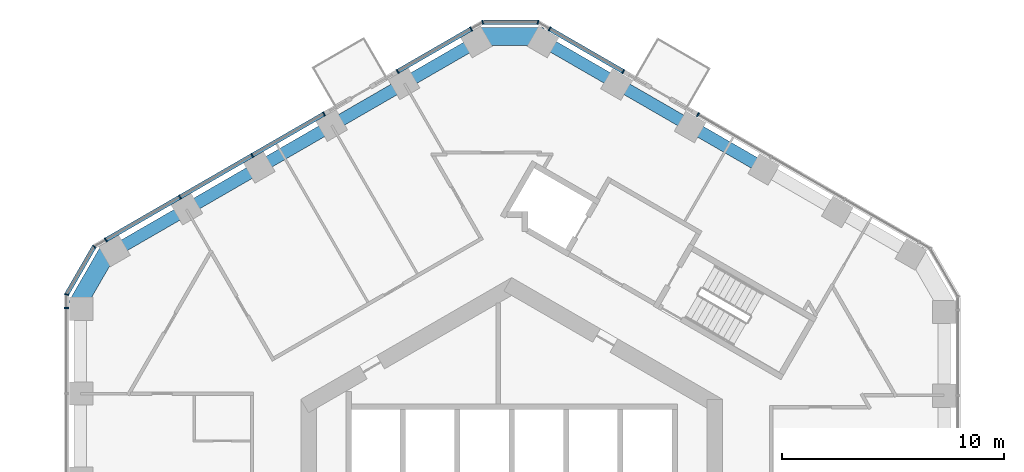
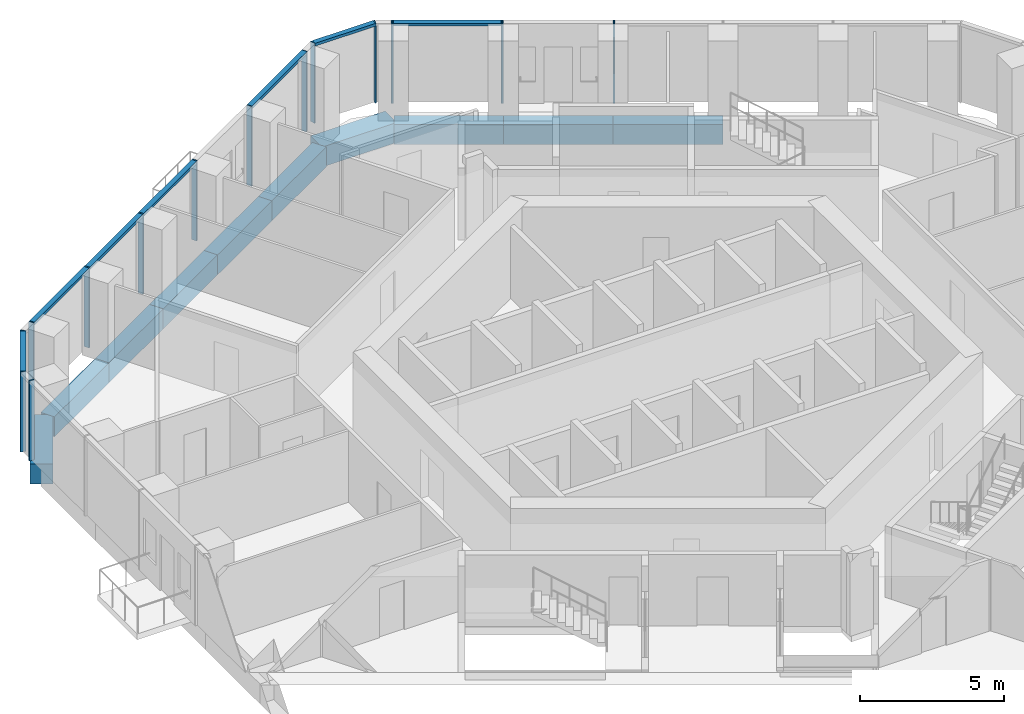
# One storey, part 6 of 20: 19 members, 10 beams, 7 elements without a shape of their own.
"""IFC4 building model written with IfcOpenShell, lengths in metres."""

from ifc_helpers import new_model, si_unit, direction, frame, origin, origin_2d, place, context, subcontext, project, spatial, rectangle, extrude, material, layer, layer_set, material_profile, profile_set, type_object, element, aggregate, save


model = new_model("IFC4")

# Units and contexts
model_context = context("Model", 3, precision=1e-05, world=origin(), true_north=direction((0.0, 1.0)))
body_context = subcontext(model_context, "Body", "Model", "MODEL_VIEW")
ifc_project = project(units=[si_unit("LENGTHUNIT", "METRE"), si_unit("AREAUNIT", "SQUARE_METRE"), si_unit("VOLUMEUNIT", "CUBIC_METRE"), si_unit("PLANEANGLEUNIT", "RADIAN"), si_unit("MASSUNIT", "GRAM", prefix="KILO")], contexts=[model_context])

# Site, building, storey
site_placement = place(None, origin())
site = spatial("IfcSite", under=ifc_project, at=site_placement, CompositionType="ELEMENT")
building_placement = place(site_placement, origin())
building = spatial("IfcBuilding", under=site, at=building_placement, Name="Ayvan Gate Tower", CompositionType="ELEMENT")
storey_placement = place(building_placement, frame((0.0, 0.0, 86.5)))
storey = spatial("IfcBuildingStorey", under=building, at=storey_placement, Name="L22", CompositionType="ELEMENT", Elevation=86.5)

# Beams
ifc_material_1 = material(Name="Concrete C40/50", Category="concrete")
ifc_material_profile_1 = material_profile(ifc_material_1, rectangle(XDim=0.800048828125, YDim=0.85009765625, at=origin_2d()), Name="RC 800x850")
ifc_profile_set_1 = profile_set([ifc_material_profile_1], Name="Concrete C40/50")
beam_type_1 = type_object("IfcBeamType", Name="Corner spandrel beam RC 800x850 C40/50", PredefinedType="BEAM", material=ifc_profile_set_1)
for number, where, z_axis, x_axis, name in (
    (1, (1.4541015625, 21.82763671875, -0.77490234375), (-1.0, 0.0, 0.0), (0.0, -1.0, 0.0), "SB-L22-12"),
    (2, (-18.13037109375, 12.25244140625, -0.77490234375), (-0.499990139034, -0.866031096941, 0.0), (0.866031096941, -0.499990139034, 0.0), "SB-L22-18"),
):
    element("IfcBeam", number, at=place(storey_placement, frame(where, z_axis=z_axis, x_axis=x_axis)), inside=storey, type_object=beam_type_1, Name=name, PredefinedType="BEAM", context=body_context, shape_type="SweptSolid", body=[
        extrude(rectangle(XDim=0.800048828125, YDim=0.85009765625, at=origin_2d()), origin(), (0.0, 0.0, 1.0), 3.0),
    ])
ifc_material_profile_2 = material_profile(ifc_material_1, rectangle(XDim=0.550048828125, YDim=0.85009765625, at=origin_2d()), Name="RC 550x850")
ifc_profile_set_2 = profile_set([ifc_material_profile_2], Name="Concrete C40/50")
beam_type_2 = type_object("IfcBeamType", Name="Spandrel beam RC 550x850 C40/50", PredefinedType="BEAM", material=ifc_profile_set_2)
beam_1_placement = place(storey_placement, frame((11.373046875, 15.880859375, -0.77490234375), z_axis=(-0.866026918282, 0.499997376803, 0.0), x_axis=(-0.499997376803, -0.866026918282, 0.0)))
element("IfcBeam", 3, at=beam_1_placement, inside=storey, type_object=beam_type_2, Name="SB-L22-9", PredefinedType="BEAM", context=body_context, shape_type="SweptSolid", body=[
    extrude(rectangle(XDim=0.550048828125, YDim=0.85009765625, at=origin_2d()), origin(), (0.0, 0.0, 1.0), 3.81787109375),
])
beam_2_placement = place(storey_placement, frame((8.066650390625, 17.789794921875, -0.77490234375), z_axis=(-0.866010930507, 0.500025067614, 0.0), x_axis=(-0.500025067614, -0.866010930507, 0.0)))
element("IfcBeam", 4, at=beam_2_placement, inside=storey, type_object=beam_type_2, Name="SB-L22-10", PredefinedType="BEAM", context=body_context, shape_type="SweptSolid", body=[
    extrude(rectangle(XDim=0.550048828125, YDim=0.85009765625, at=origin_2d()), origin(), (0.0, 0.0, 1.0), 3.817626953125),
])
beam_3_placement = place(storey_placement, frame((4.760498046875, 19.69873046875, -0.77490234375), z_axis=(-0.866054607372, 0.49994941449, 0.0), x_axis=(-0.49994941449, -0.866054607372, 0.0)))
element("IfcBeam", 5, at=beam_3_placement, inside=storey, type_object=beam_type_2, Name="SB-L22-11", PredefinedType="BEAM", context=body_context, shape_type="SweptSolid", body=[
    extrude(rectangle(XDim=0.550048828125, YDim=0.85009765625, at=origin_2d()), origin(), (0.0, 0.0, 1.0), 3.81787109375),
])
for number, where, z_axis, x_axis, name in (
    (6, (-1.5458984375, 21.607421875, -0.77490234375), (-0.866048135668, -0.499960625155, 0.0), (0.499960625155, -0.866048135668, 0.0), "SB-L22-13"),
    (7, (-4.82470703125, 19.714599609375, -0.77490234375), (-0.866004090458, -0.500036913948, 0.0), (0.500036913948, -0.866004090458, 0.0), "SB-L22-14"),
):
    element("IfcBeam", number, at=place(storey_placement, frame(where, z_axis=z_axis, x_axis=x_axis)), inside=storey, type_object=beam_type_2, Name=name, PredefinedType="BEAM", context=body_context, shape_type="SweptSolid", body=[
        extrude(rectangle(XDim=0.550048828125, YDim=0.85009765625, at=origin_2d()), origin(), (0.0, 0.0, 1.0), 3.785888671875),
    ])
for number, where, z_axis, x_axis, name in (
    (8, (-8.103271484375, 17.821533203125, -0.77490234375), (-0.86602021339, -0.50000898992, 0.0), (0.50000898992, -0.86602021339, 0.0), "SB-L22-15"),
    (9, (-11.382080078125, 15.928466796875, -0.77490234375), (-0.86602021339, -0.50000898992, 0.0), (0.50000898992, -0.86602021339, 0.0), "SB-L22-16"),
):
    element("IfcBeam", number, at=place(storey_placement, frame(where, z_axis=z_axis, x_axis=x_axis)), inside=storey, type_object=beam_type_2, Name=name, PredefinedType="BEAM", context=body_context, shape_type="SweptSolid", body=[
        extrude(rectangle(XDim=0.550048828125, YDim=0.85009765625, at=origin_2d()), origin(), (0.0, 0.0, 1.0), 3.7861328125),
    ])
beam_4_placement = place(storey_placement, frame((-14.660888671875, 14.035400390625, -0.77490234375), z_axis=(-0.866048135668, -0.499960625155, 0.0), x_axis=(0.499960625155, -0.866048135668, 0.0)))
element("IfcBeam", 10, at=beam_4_placement, inside=storey, type_object=beam_type_2, Name="SB-L22-17", PredefinedType="BEAM", context=body_context, shape_type="SweptSolid", body=[
    extrude(rectangle(XDim=0.550048828125, YDim=0.85009765625, at=origin_2d()), origin(), (0.0, 0.0, 1.0), 3.785888671875),
])

# Curtain wall, members
ifc_material_2 = material(Name="Bronze anodised aluminium", Category="aluminium")
ifc_layer_1 = layer(ifc_material_2, 0.199951171875)
ifc_layer_set_1 = layer_set([ifc_layer_1], Name="Bronze anodised aluminium")
curtain_wall_type_1 = type_object("IfcCurtainWallType", Name="Stick curtain wall CW-1", PredefinedType="NOTDEFINED", material=ifc_layer_set_1)
curtain_wall_1_placement = place(storey_placement, origin())
curtain_wall_1 = element("IfcCurtainWall", 11, at=curtain_wall_1_placement, inside=storey, type_object=curtain_wall_type_1, Name="Stick curtain wall CW-1 L22", PredefinedType="NOTDEFINED")
ifc_material_profile_3 = material_profile(ifc_material_2, rectangle(XDim=0.199951171875, YDim=0.06005859375, at=origin_2d()), Name="Stick curtain wall CW-1 mullion 200 x 60")
ifc_profile_set_3 = profile_set([ifc_material_profile_3], Name="Bronze anodised aluminium")
member_type_1 = type_object("IfcMemberType", Name="Stick curtain wall CW-1 mullion 200 x 60", PredefinedType="MULLION", material=ifc_profile_set_3)
member_1_placement = place(storey_placement, frame((-1.82666015625, 22.167236328125, 0.0), z_axis=(0.0, 0.0, 1.0), x_axis=(-0.5, 0.866025403784, 0.0)))
member_1 = element("IfcMember", 12, at=member_1_placement, type_object=member_type_1, Name="CW-1 mullion 1", PredefinedType="MULLION", context=body_context, shape_type="SweptSolid", body=[
    extrude(rectangle(XDim=0.199951171875, YDim=0.06005859375, at=origin_2d()), origin(), (0.0, 0.0, 1.0), 3.39990234375),
])
member_2_placement = place(storey_placement, frame((-5.137451171875, 20.255615234375, 0.0), z_axis=(0.0, 0.0, 1.0), x_axis=(-0.5, 0.866025403784, 0.0)))
member_2 = element("IfcMember", 13, at=member_2_placement, type_object=member_type_1, Name="CW-1 mullion 2", PredefinedType="MULLION", context=body_context, shape_type="SweptSolid", body=[
    extrude(rectangle(XDim=0.199951171875, YDim=0.06005859375, at=origin_2d()), origin(), (0.0, 0.0, 1.0), 3.39990234375),
])

curtain_wall_2_placement = place(storey_placement, origin())
curtain_wall_2 = element("IfcCurtainWall", 14, at=curtain_wall_2_placement, inside=storey, type_object=curtain_wall_type_1, Name="Stick curtain wall CW-1 L22", PredefinedType="NOTDEFINED")
member_3_placement = place(storey_placement, frame((-8.45068359375, 18.342529296875, 0.0), z_axis=(0.0, 0.0, 1.0), x_axis=(-0.5, 0.866025403784, 0.0)))
member_3 = element("IfcMember", 15, at=member_3_placement, type_object=member_type_1, Name="CW-1 mullion 1", PredefinedType="MULLION", context=body_context, shape_type="SweptSolid", body=[
    extrude(rectangle(XDim=0.199951171875, YDim=0.06005859375, at=origin_2d()), origin(), (0.0, 0.0, 1.0), 3.39990234375),
])
member_4_placement = place(storey_placement, frame((-11.686279296875, 16.474609375, 0.0), z_axis=(0.0, 0.0, 1.0), x_axis=(-0.5, 0.866025403784, 0.0)))
member_4 = element("IfcMember", 16, at=member_4_placement, type_object=member_type_1, Name="CW-1 mullion 2", PredefinedType="MULLION", context=body_context, shape_type="SweptSolid", body=[
    extrude(rectangle(XDim=0.199951171875, YDim=0.06005859375, at=origin_2d()), origin(), (0.0, 0.0, 1.0), 3.39990234375),
])
member_5_placement = place(storey_placement, frame((-14.94775390625, 14.591552734375, 0.0), z_axis=(0.0, 0.0, 1.0), x_axis=(-0.5, 0.866025403784, 0.0)))
member_5 = element("IfcMember", 17, at=member_5_placement, type_object=member_type_1, Name="CW-1 mullion 3", PredefinedType="MULLION", context=body_context, shape_type="SweptSolid", body=[
    extrude(rectangle(XDim=0.199951171875, YDim=0.06005859375, at=origin_2d()), origin(), (0.0, 0.0, 1.0), 3.39990234375),
])
member_6_placement = place(storey_placement, frame((-18.283935546875, 12.66552734375, 0.0), z_axis=(0.0, 0.0, 1.0), x_axis=(-0.5, 0.866025403784, 0.0)))
member_6 = element("IfcMember", 18, at=member_6_placement, type_object=member_type_1, Name="CW-1 mullion 4", PredefinedType="MULLION", context=body_context, shape_type="SweptSolid", body=[
    extrude(rectangle(XDim=0.199951171875, YDim=0.06005859375, at=origin_2d()), origin(), (0.0, 0.0, 1.0), 3.39990234375),
])

# Curtain wall, member
curtain_wall_3_placement = place(storey_placement, origin())
curtain_wall_3 = element("IfcCurtainWall", 19, at=curtain_wall_3_placement, inside=storey, type_object=curtain_wall_type_1, Name="Stick curtain wall CW-1 L22", PredefinedType="NOTDEFINED")
member_7_placement = place(storey_placement, frame((-20.05126953125, 9.6044921875, 0.0), z_axis=(0.0, 0.0, 1.0), x_axis=(-1.0, 0.0, 0.0)))
member_7 = element("IfcMember", 20, at=member_7_placement, type_object=member_type_1, Name="CW-1 mullion 1", PredefinedType="MULLION", context=body_context, shape_type="SweptSolid", body=[
    extrude(rectangle(XDim=0.199951171875, YDim=0.06005859375, at=origin_2d()), origin(), (0.0, 0.0, 1.0), 3.39990234375),
])
aggregate(curtain_wall_3, [member_7])

curtain_wall_4_placement = place(storey_placement, origin())
curtain_wall_4 = element("IfcCurtainWall", 21, at=curtain_wall_4_placement, inside=storey, type_object=curtain_wall_type_1, Name="Stick curtain wall CW-1 L22", PredefinedType="NOTDEFINED")
member_8_placement = place(storey_placement, frame((8.39453125, 18.306640625, 0.0), z_axis=(0.0, 0.0, 1.0), x_axis=(0.5, 0.866025403784, 0.0)))
member_8 = element("IfcMember", 22, at=member_8_placement, type_object=member_type_1, Name="CW-1 mullion 4", PredefinedType="MULLION", context=body_context, shape_type="SweptSolid", body=[
    extrude(rectangle(XDim=0.199951171875, YDim=0.06005859375, at=origin_2d()), origin(), (0.0, 0.0, 1.0), 3.39990234375),
])
aggregate(curtain_wall_4, [member_8])

# Curtain wall, members
curtain_wall_5_placement = place(storey_placement, origin())
curtain_wall_5 = element("IfcCurtainWall", 23, at=curtain_wall_5_placement, inside=storey, type_object=curtain_wall_type_1, Name="Stick curtain wall CW-1 L22", PredefinedType="NOTDEFINED")
member_9_placement = place(storey_placement, frame((5.02734375, 20.250732421875, 0.0), z_axis=(0.0, 0.0, 1.0), x_axis=(0.5, 0.866025403784, 0.0)))
member_9 = element("IfcMember", 24, at=member_9_placement, type_object=member_type_1, Name="CW-1 mullion 1", PredefinedType="MULLION", context=body_context, shape_type="SweptSolid", body=[
    extrude(rectangle(XDim=0.199951171875, YDim=0.06005859375, at=origin_2d()), origin(), (0.0, 0.0, 1.0), 3.39990234375),
])
member_10_placement = place(storey_placement, frame((1.707763671875, 22.167236328125, 0.0), z_axis=(0.0, 0.0, 1.0), x_axis=(0.5, 0.866025403784, 0.0)))
member_10 = element("IfcMember", 25, at=member_10_placement, type_object=member_type_1, Name="CW-1 mullion 2", PredefinedType="MULLION", context=body_context, shape_type="SweptSolid", body=[
    extrude(rectangle(XDim=0.199951171875, YDim=0.06005859375, at=origin_2d()), origin(), (0.0, 0.0, 1.0), 3.39990234375),
])

# Member
ifc_material_profile_4 = material_profile(ifc_material_2, rectangle(XDim=0.199951171875, YDim=0.1201171875, at=origin_2d()), Name="Stick curtain wall CW-1 transom 200 x 120")
ifc_profile_set_4 = profile_set([ifc_material_profile_4], Name="Bronze anodised aluminium")
member_type_2 = type_object("IfcMemberType", Name="Stick curtain wall CW-1 transom 200 x 120", PredefinedType="USERDEFINED", material=ifc_profile_set_4)
member_11_placement = place(storey_placement, frame((-1.82666015625, 22.167236328125, 3.340087890625), z_axis=(-0.866010111649, -0.50002648582, 0.0), x_axis=(0.50002648582, -0.866010111649, 0.0)))
member_11 = element("IfcMember", 26, at=member_11_placement, type_object=member_type_2, Name="CW-1 transom 1", ObjectType="TRANSOM", PredefinedType="USERDEFINED", context=body_context, shape_type="SweptSolid", body=[
    extrude(rectangle(XDim=0.199951171875, YDim=0.1201171875, at=origin_2d()), origin(), (0.0, 0.0, 1.0), 3.822998046875),
])

aggregate(curtain_wall_1, [member_1, member_2, member_11])

member_12_placement = place(storey_placement, frame((-8.45068359375, 18.342529296875, 3.340087890625), z_axis=(-0.866034125767, -0.499984892779, 0.0), x_axis=(0.499984892779, -0.866034125767, 0.0)))
member_12 = element("IfcMember", 27, at=member_12_placement, type_object=member_type_2, Name="CW-1 transom 1", ObjectType="TRANSOM", PredefinedType="USERDEFINED", context=body_context, shape_type="SweptSolid", body=[
    extrude(rectangle(XDim=0.199951171875, YDim=0.1201171875, at=origin_2d()), origin(), (0.0, 0.0, 1.0), 11.354248046875),
])

aggregate(curtain_wall_2, [member_3, member_4, member_5, member_6, member_12])

member_13_placement = place(storey_placement, frame((5.02734375, 20.250732421875, 3.340087890625), z_axis=(-0.86603179148, 0.499988936024, 0.0), x_axis=(-0.499988936024, -0.86603179148, 0.0)))
member_13 = element("IfcMember", 28, at=member_13_placement, type_object=member_type_2, Name="CW-1 transom 1", ObjectType="TRANSOM", PredefinedType="USERDEFINED", context=body_context, shape_type="SweptSolid", body=[
    extrude(rectangle(XDim=0.199951171875, YDim=0.1201171875, at=origin_2d()), origin(), (0.0, 0.0, 1.0), 3.8330078125),
])

aggregate(curtain_wall_5, [member_9, member_10, member_13])

# Curtain wall, members
ifc_layer_2 = layer(ifc_material_2, 0.199951171875)
ifc_layer_set_2 = layer_set([ifc_layer_2], Name="Bronze anodised aluminium")
curtain_wall_type_2 = type_object("IfcCurtainWallType", Name="Stick curtain wall CW-6", PredefinedType="NOTDEFINED", material=ifc_layer_set_2)
curtain_wall_6_placement = place(storey_placement, origin())
curtain_wall_6 = element("IfcCurtainWall", 29, at=curtain_wall_6_placement, inside=storey, type_object=curtain_wall_type_2, Name="Stick curtain wall CW-6 L22", PredefinedType="NOTDEFINED")
ifc_material_profile_5 = material_profile(ifc_material_2, rectangle(XDim=0.199951171875, YDim=0.050048828125, at=origin_2d()), Name="Stick curtain wall CW-6 mullion 200 x 50")
ifc_profile_set_5 = profile_set([ifc_material_profile_5], Name="Bronze anodised aluminium")
member_type_3 = type_object("IfcMemberType", Name="Stick curtain wall CW-6 mullion 200 x 50", PredefinedType="MULLION", material=ifc_profile_set_5)
member_14_placement = place(storey_placement, frame((-18.807861328125, 12.36279296875, 0.0), z_axis=(0.0, 0.0, 1.0), x_axis=(-0.707106781187, 0.707106781187, 0.0)))
member_14 = element("IfcMember", 30, at=member_14_placement, type_object=member_type_3, Name="CW-6 mullion 2", PredefinedType="MULLION", context=body_context, shape_type="SweptSolid", body=[
    extrude(rectangle(XDim=0.199951171875, YDim=0.050048828125, at=origin_2d()), origin(), (0.0, 0.0, 1.0), 3.39990234375),
])
member_15_placement = place(storey_placement, frame((-20.05126953125, 10.20947265625, 0.0), z_axis=(0.0, 0.0, 1.0), x_axis=(-0.965925826289, 0.258819045103, 0.0)))
member_15 = element("IfcMember", 31, at=member_15_placement, type_object=member_type_3, Name="CW-6 mullion 3", PredefinedType="MULLION", context=body_context, shape_type="SweptSolid", body=[
    extrude(rectangle(XDim=0.199951171875, YDim=0.050048828125, at=origin_2d()), origin(), (0.0, 0.0, 1.0), 3.39990234375),
])

curtain_wall_7_placement = place(storey_placement, origin())
curtain_wall_7 = element("IfcCurtainWall", 32, at=curtain_wall_7_placement, inside=storey, type_object=curtain_wall_type_2, Name="Stick curtain wall CW-6 L22", PredefinedType="NOTDEFINED")
member_16_placement = place(storey_placement, frame((1.183837890625, 22.4697265625, 0.0), z_axis=(0.0, 0.0, 1.0), x_axis=(0.258819045103, 0.965925826289, 0.0)))
member_16 = element("IfcMember", 33, at=member_16_placement, type_object=member_type_3, Name="CW-6 mullion 2", PredefinedType="MULLION", context=body_context, shape_type="SweptSolid", body=[
    extrude(rectangle(XDim=0.199951171875, YDim=0.050048828125, at=origin_2d()), origin(), (0.0, 0.0, 1.0), 3.39990234375),
])
member_17_placement = place(storey_placement, frame((-1.302734375, 22.4697265625, 0.0), z_axis=(0.0, 0.0, 1.0), x_axis=(-0.258819045103, 0.965925826289, 0.0)))
member_17 = element("IfcMember", 34, at=member_17_placement, type_object=member_type_3, Name="CW-6 mullion 3", PredefinedType="MULLION", context=body_context, shape_type="SweptSolid", body=[
    extrude(rectangle(XDim=0.199951171875, YDim=0.050048828125, at=origin_2d()), origin(), (0.0, 0.0, 1.0), 3.39990234375),
])

# Member
ifc_material_profile_6 = material_profile(ifc_material_2, rectangle(XDim=0.199951171875, YDim=0.1201171875, at=origin_2d()), Name="Stick curtain wall CW-6 transom 200 x 120")
ifc_profile_set_6 = profile_set([ifc_material_profile_6], Name="Bronze anodised aluminium")
member_type_4 = type_object("IfcMemberType", Name="Stick curtain wall CW-6 transom 200 x 120", PredefinedType="USERDEFINED", material=ifc_profile_set_6)
member_18_placement = place(storey_placement, frame((-18.820556640625, 12.34130859375, 3.340087890625), z_axis=(-0.499997116, -0.866027068856, 0.0), x_axis=(0.866027068856, -0.499997116, 0.0)))
member_18 = element("IfcMember", 35, at=member_18_placement, type_object=member_type_4, Name="CW-6 transom 2", ObjectType="TRANSOM", PredefinedType="USERDEFINED", context=body_context, shape_type="SweptSolid", body=[
    extrude(rectangle(XDim=0.199951171875, YDim=0.1201171875, at=origin_2d()), origin(), (0.0, 0.0, 1.0), 2.4365234375),
])

aggregate(curtain_wall_6, [member_14, member_15, member_18])

member_19_placement = place(storey_placement, frame((1.158935546875, 22.4697265625, 3.340087890625), z_axis=(-1.0, 0.0, 0.0), x_axis=(0.0, -1.0, 0.0)))
member_19 = element("IfcMember", 36, at=member_19_placement, type_object=member_type_4, Name="CW-6 transom 2", ObjectType="TRANSOM", PredefinedType="USERDEFINED", context=body_context, shape_type="SweptSolid", body=[
    extrude(rectangle(XDim=0.199951171875, YDim=0.1201171875, at=origin_2d()), origin(), (0.0, 0.0, 1.0), 2.4365234375),
])

aggregate(curtain_wall_7, [member_16, member_17, member_19])

save(model, "model.ifc")
